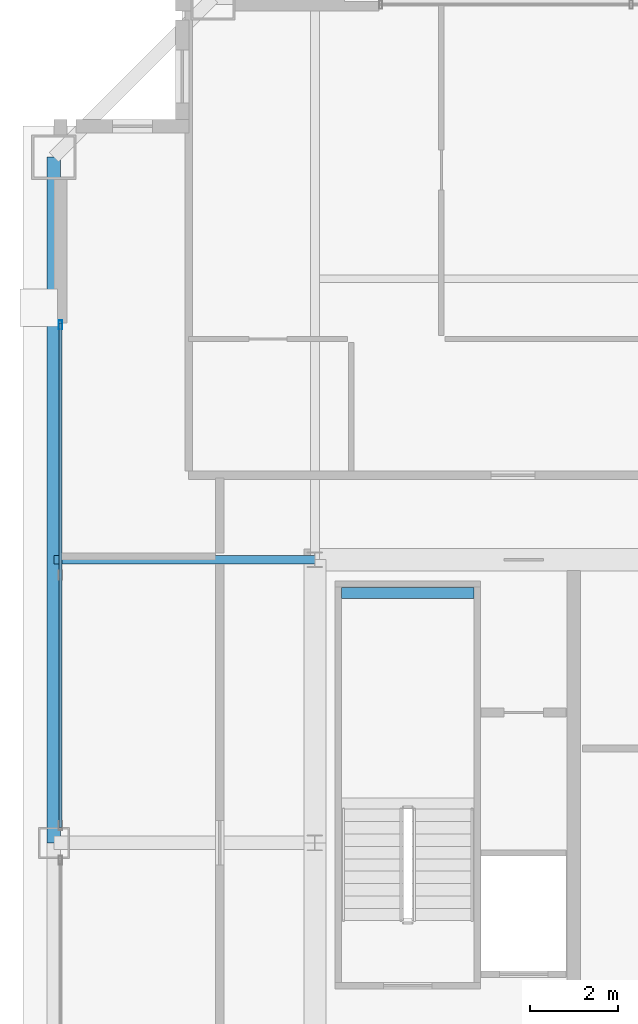
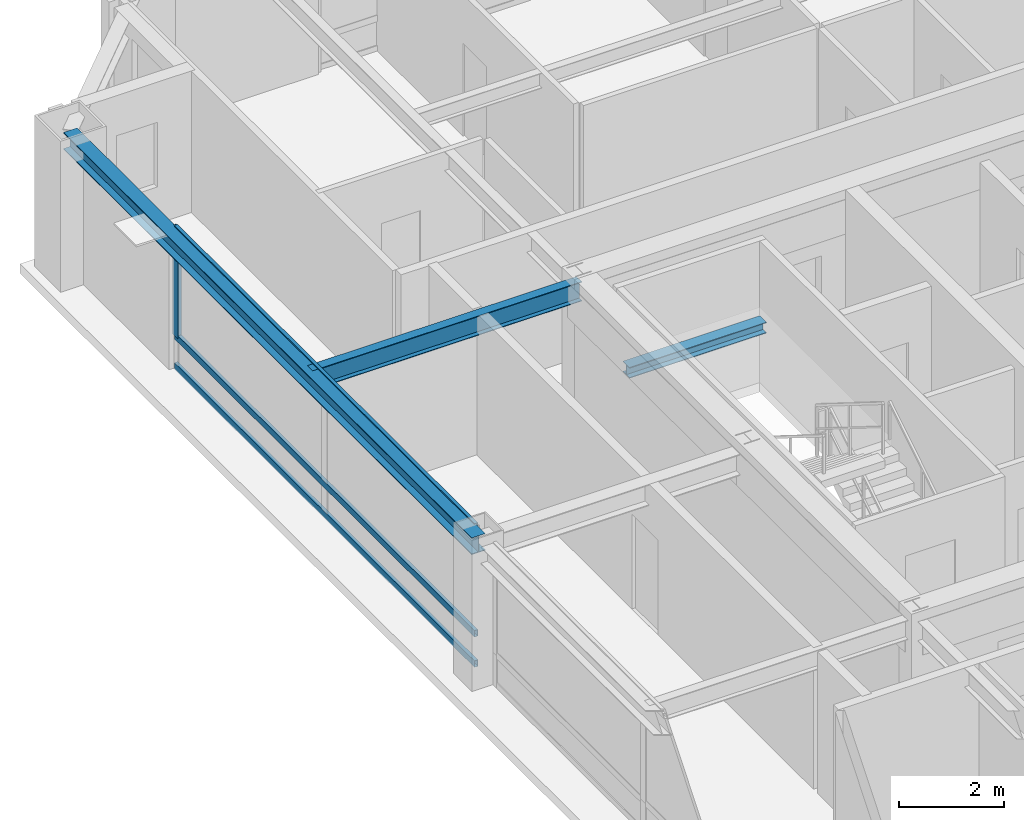
# One storey, part 12 of 35: 4 members, 3 beams, 1 element without a shape of its own.
"""IFC4 building model written with IfcOpenShell, lengths in metres."""

from ifc_helpers import new_model, si_unit, direction, frame, origin, origin_2d, place, context, subcontext, project, spatial, hollow_rectangle, i_section, extrude, source, transform, mapped, material, layer, layer_set, material_profile, profile_set, type_object, element, aggregate, save


model = new_model("IFC4")

# Units and contexts
model_context = context("Model", 3, precision=1e-05, world=origin(), true_north=direction((0.0, 1.0)))
body_context = subcontext(model_context, "Body", "Model", "MODEL_VIEW")
ifc_project = project(units=[si_unit("LENGTHUNIT", "METRE"), si_unit("AREAUNIT", "SQUARE_METRE"), si_unit("VOLUMEUNIT", "CUBIC_METRE"), si_unit("PLANEANGLEUNIT", "RADIAN"), si_unit("MASSUNIT", "GRAM", prefix="KILO"), si_unit("THERMODYNAMICTEMPERATUREUNIT", "KELVIN"), si_unit("POWERUNIT", "WATT")], contexts=[model_context])

# Site, building, storey
site_placement = place(None, origin())
site = spatial("IfcSite", under=ifc_project, at=site_placement, CompositionType="ELEMENT")
building_placement = place(site_placement, origin())
building = spatial("IfcBuilding", under=site, at=building_placement, Name="Yuzanri Waterfront Tower", CompositionType="ELEMENT")
storey_placement = place(building_placement, frame((0.0, 0.0, 311.199951171875)))
storey = spatial("IfcBuildingStorey", under=building, at=storey_placement, Name="L83", CompositionType="ELEMENT", Elevation=311.199951171875)

# Beams
ifc_material_1 = material(Name="Steel Q355B", Category="steel")
ifc_material_profile_1 = material_profile(ifc_material_1, i_section(OverallWidth=0.300048828125, OverallDepth=0.389892578125, WebThickness=0.010009765625, FlangeThickness=0.01611328125, at=origin_2d()), Name="HM 390x300x10x16")
ifc_profile_set_1 = profile_set([ifc_material_profile_1], Name="Steel Q355B")
beam_type_1 = type_object("IfcBeamType", Name="Perimeter Spandrel Q355B HM 390x300", PredefinedType="SPANDREL", material=ifc_profile_set_1)
shared_shape_1 = source(origin(), body_context, "Body", "SweptSolid", [
    extrude(i_section(OverallWidth=0.300048828125, OverallDepth=0.389892578125, WebThickness=0.010009765625, FlangeThickness=0.01611328125, at=origin_2d()), origin(), (0.0, 0.0, 1.0), 15.5),
])
beam_1_placement = place(storey_placement, frame((17.89990234375, 41.300048828125, 3.0849609375), z_axis=(0.0, -1.0, 0.0), x_axis=(1.0, 0.0, 0.0)))
element("IfcBeam", 1, at=beam_1_placement, inside=storey, type_object=beam_type_1, Name="L83 Perimeter Spandrel W3-W2", PredefinedType="SPANDREL", context=body_context, shape_type="MappedRepresentation", body=[
    mapped(shared_shape_1, transform((0.0, 0.0, 0.0), scale=1.0)),
])
ifc_material_2 = material(Name="Steel Q355B", Category="steel")
ifc_material_profile_2 = material_profile(ifc_material_2, i_section(OverallWidth=0.199951171875, OverallDepth=0.449951171875, WebThickness=0.009033203125, FlangeThickness=0.013916015625, at=origin_2d()), Name="HN 450x200x9x14")
ifc_profile_set_2 = profile_set([ifc_material_profile_2], Name="Steel Q355B")
beam_type_2 = type_object("IfcBeamType", Name="Secondary Floor Beam Q355B HN 450x200", PredefinedType="BEAM", material=ifc_profile_set_2)
shared_shape_2 = source(origin(), body_context, "Body", "SweptSolid", [
    extrude(i_section(OverallWidth=0.199951171875, OverallDepth=0.449951171875, WebThickness=0.009033203125, FlangeThickness=0.013916015625, at=origin_2d()), origin(), (0.0, 0.0, 1.0), 5.900146484375),
])
beam_2_placement = place(storey_placement, frame((23.800048828125, 32.199951171875, 3.054931640625), z_axis=(-1.0, 0.0, 0.0), x_axis=(0.0, -1.0, 0.0)))
element("IfcBeam", 2, at=beam_2_placement, inside=storey, type_object=beam_type_2, Name="L83 West-North Core Line Beam", PredefinedType="BEAM", context=body_context, shape_type="MappedRepresentation", body=[
    mapped(shared_shape_2, transform((0.0, 0.0, 0.0), scale=1.0)),
])

# Curtain wall, members
ifc_material_3 = material(Name="Anodized Architectural Bronze", Category="metal")
ifc_layer = layer(ifc_material_3, 0.159912109375)
ifc_layer_set = layer_set([ifc_layer], Name="Anodized Architectural Bronze")
curtain_wall_type = type_object("IfcCurtainWallType", Name="Anodized Bronze High-Rise Penthouse High-Wind Unitized Curtain Wall 6900", PredefinedType="NOTDEFINED", material=ifc_layer_set)
curtain_wall_placement = place(storey_placement, origin())
curtain_wall = element("IfcCurtainWall", 3, at=curtain_wall_placement, inside=storey, type_object=curtain_wall_type, Name="L83 Curtain Wall CW-L83-WR", PredefinedType="NOTDEFINED")
ifc_material_4 = material(Name="Anodized Architectural Bronze", Category="metal")
ifc_material_profile_3 = material_profile(ifc_material_4, hollow_rectangle(XDim=0.074951171875, YDim=0.199951171875, WallThickness=0.00390625, at=origin_2d()), Name="CWM 75x200")
ifc_profile_set_3 = profile_set([ifc_material_profile_3], Name="Anodized Architectural Bronze")
member_type_1 = type_object("IfcMemberType", Name="Anodized Bronze Primary Curtain-Wall Mullion 75x200", PredefinedType="MULLION", material=ifc_profile_set_3)
shared_shape_3 = source(origin(), body_context, "Body", "SweptSolid", [
    extrude(hollow_rectangle(XDim=0.074951171875, YDim=0.199951171875, WallThickness=0.00390625, at=origin_2d()), origin(), (0.0, 0.0, 1.0), 2.52392578125),
])
member_1_placement = place(storey_placement, frame((18.050048828125, 37.510009765625, 0.756103515625), z_axis=(0.0, 0.0, 1.0), x_axis=(1.0, 0.0, 0.0)))
member_1 = element("IfcMember", 4, at=member_1_placement, type_object=member_type_1, Name="CW-L83-WR Upper Mullion 02", PredefinedType="MULLION", context=body_context, shape_type="MappedRepresentation", body=[
    mapped(shared_shape_3, transform((0.0, 0.0, 0.0), scale=1.0)),
])
ifc_material_5 = material(Name="Anodized Architectural Bronze", Category="metal")
ifc_material_profile_4 = material_profile(ifc_material_5, hollow_rectangle(XDim=0.074951171875, YDim=0.14990234375, WallThickness=0.00390625, at=origin_2d()), Name="CWT 75x150")
ifc_profile_set_4 = profile_set([ifc_material_profile_4], Name="Anodized Architectural Bronze")
member_type_2 = type_object("IfcMemberType", Name="Anodized Bronze Primary Curtain-Wall Transom 75x150", PredefinedType="USERDEFINED", material=ifc_profile_set_4)
shared_shape_4 = source(origin(), body_context, "Body", "SweptSolid", [
    extrude(hollow_rectangle(XDim=0.074951171875, YDim=0.14990234375, WallThickness=0.00390625, at=origin_2d()), origin(), (0.0, 0.0, 1.0), 11.400146484375),
])
member_2_placement = place(storey_placement, frame((18.050048828125, 26.14990234375, 0.050048828125), z_axis=(0.0, 1.0, 0.0), x_axis=(-1.0, 0.0, 0.0)))
member_2 = element("IfcMember", 5, at=member_2_placement, type_object=member_type_2, Name="CW-L83-WR Transom 1", ObjectType="TRANSOM", PredefinedType="USERDEFINED", context=body_context, shape_type="MappedRepresentation", body=[
    mapped(shared_shape_4, transform((0.0, 0.0, 0.0), scale=1.0)),
])
member_3_placement = place(storey_placement, frame((18.050048828125, 26.14990234375, 0.754150390625), z_axis=(0.0, 1.0, 0.0), x_axis=(-1.0, 0.0, 0.0)))
member_3 = element("IfcMember", 6, at=member_3_placement, type_object=member_type_2, Name="CW-L83-WR Transom 2", ObjectType="TRANSOM", PredefinedType="USERDEFINED", context=body_context, shape_type="MappedRepresentation", body=[
    mapped(shared_shape_4, transform((0.0, 0.0, 0.0), scale=1.0)),
])
member_4_placement = place(storey_placement, frame((18.050048828125, 26.14990234375, 3.22998046875), z_axis=(0.0, 1.0, 0.0), x_axis=(-1.0, 0.0, 0.0)))
member_4 = element("IfcMember", 7, at=member_4_placement, type_object=member_type_2, Name="CW-L83-WR Transom 3", ObjectType="TRANSOM", PredefinedType="USERDEFINED", context=body_context, shape_type="MappedRepresentation", body=[
    mapped(shared_shape_4, transform((0.0, 0.0, 0.0), scale=1.0)),
])
aggregate(curtain_wall, [member_1, member_2, member_3, member_4])

# Beam
ifc_material_6 = material(Name="Steel Q355B", Category="steel")
ifc_material_profile_5 = material_profile(ifc_material_6, i_section(OverallWidth=0.25, OverallDepth=0.25, WebThickness=0.009033203125, FlangeThickness=0.013916015625, at=origin_2d()), Name="HW 250x250x9x14")
ifc_profile_set_5 = profile_set([ifc_material_profile_5], Name="Steel Q355B")
beam_type_3 = type_object("IfcBeamType", Name="Stair Landing Support Beam Q355B HW 250x250", PredefinedType="BEAM", material=ifc_profile_set_5)
shared_shape_5 = source(origin(), body_context, "Body", "SweptSolid", [
    extrude(i_section(OverallWidth=0.25, OverallDepth=0.25, WebThickness=0.009033203125, FlangeThickness=0.013916015625, at=origin_2d()), origin(), (0.0, 0.0, 1.0), 3.0),
])
beam_3_placement = place(storey_placement, frame((24.39990234375, 31.449951171875, 1.425048828125), z_axis=(1.0, 0.0, 0.0), x_axis=(0.0, 1.0, 0.0)))
element("IfcBeam", 8, at=beam_3_placement, inside=storey, type_object=beam_type_3, Name="L83 Stair Landing Support Beam ST-01-L83-L1-2", PredefinedType="BEAM", context=body_context, shape_type="MappedRepresentation", body=[
    mapped(shared_shape_5, transform((0.0, 0.0, 0.0), scale=1.0)),
])

save(model, "model.ifc")
